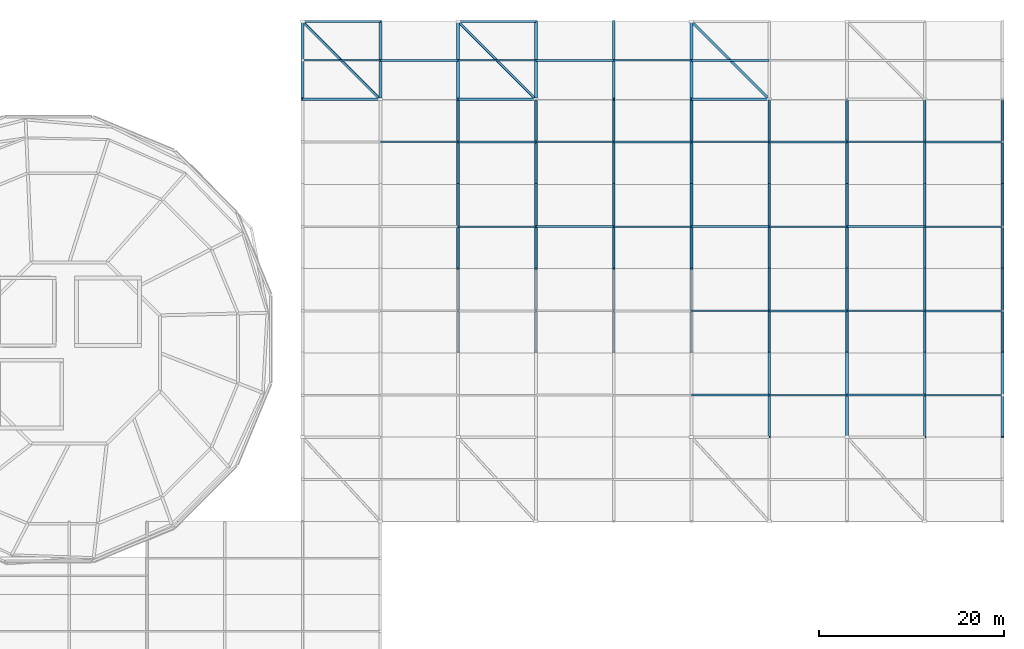
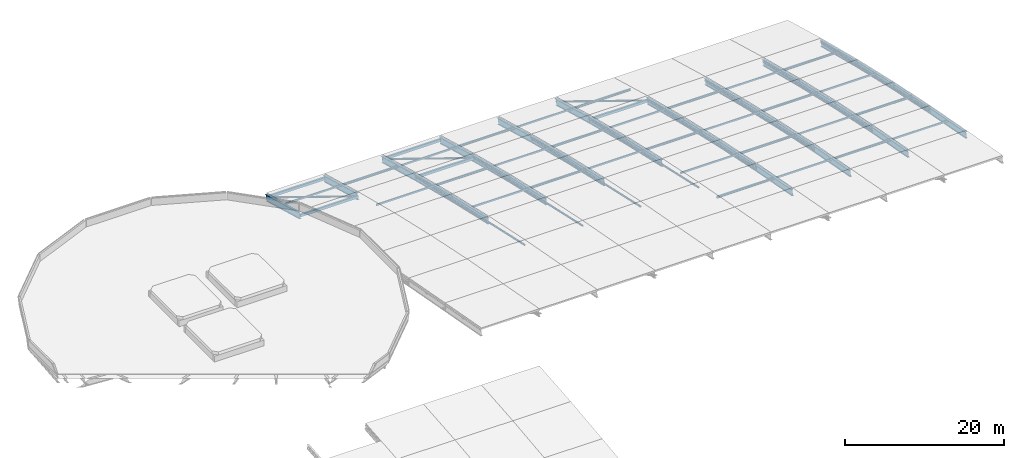
# One storey, part 4 of 12: 45 members, 30 beams.
"""IFC4 building model written with IfcOpenShell, lengths in metres."""

from ifc_helpers import new_model, si_unit, derived_unit, direction, frame, origin, origin_2d, place, context, subcontext, project, spatial, hollow_rectangle, hollow_circle, i_section, extrude, material, material_profile, profile_set, type_object, element, save


model = new_model("IFC4")

# Units and contexts
model_context = context("Model", 3, precision=1e-05, world=origin(), true_north=direction((0.0, 1.0)))
body_context = subcontext(model_context, "Body", "Model", "MODEL_VIEW")
ifc_project = project(units=[si_unit("LENGTHUNIT", "METRE"), si_unit("AREAUNIT", "SQUARE_METRE"), si_unit("VOLUMEUNIT", "CUBIC_METRE"), si_unit("PLANEANGLEUNIT", "RADIAN"), si_unit("MASSUNIT", "GRAM", prefix="KILO"), derived_unit("THERMALTRANSMITTANCEUNIT", [(si_unit("MASSUNIT", "GRAM", prefix="KILO"), 1), (si_unit("TIMEUNIT", "SECOND"), -3), (si_unit("THERMODYNAMICTEMPERATUREUNIT", "KELVIN"), -1)])], contexts=[model_context])

# Site, building, storey
site_placement = place(None, origin())
site = spatial("IfcSite", under=ifc_project, at=site_placement, CompositionType="ELEMENT")
building_placement = place(site_placement, origin())
building = spatial("IfcBuilding", under=site, at=building_placement, Name="Makaiwela Harbour Ferry Terminal", CompositionType="ELEMENT")
storey_placement = place(building_placement, frame((0.0, 0.0, 25.5)))
storey = spatial("IfcBuildingStorey", under=building, at=storey_placement, Name="ROOF", CompositionType="ELEMENT", Elevation=25.5)

# Beams
ifc_material_1 = material(Name="Steel ASTM A992 Grade 50", Category="steel")
ifc_material_profile_1 = material_profile(ifc_material_1, i_section(OverallWidth=0.306884765625, OverallDepth=0.927001953125, WebThickness=0.019287109375, FlangeThickness=0.031982421875, at=origin_2d()), Name="W36X194")
ifc_profile_set_1 = profile_set([ifc_material_profile_1], Name="Steel ASTM A992 Grade 50")
beam_type = type_object("IfcBeamType", Name="STR-ARC-W36X194", PredefinedType="USERDEFINED", material=ifc_profile_set_1)
for number, where, z_axis, x_axis, name in (
    (1, (63.0, 103.39990234375, -12.99609375), (0.0, -0.963908615898, 0.266233319098), (1.0, 0.0, 0.0), "Departure vault arch rib 9-1"),
    (2, (71.39990234375, 103.39990234375, -12.99609375), (0.0, -0.963908615898, 0.266233319098), (1.0, 0.0, 0.0), "Departure vault arch rib 10-1"),
    (3, (79.800048828125, 103.39990234375, -12.99609375), (0.0, -0.963908615898, 0.266233319098), (1.0, 0.0, 0.0), "Departure vault arch rib 11-1"),
):
    element("IfcBeam", number, at=place(storey_placement, frame(where, z_axis=z_axis, x_axis=x_axis)), inside=storey, type_object=beam_type, Name=name, ObjectType="ARCH SEGMENT", PredefinedType="USERDEFINED", context=body_context, shape_type="SweptSolid", body=[
        extrude(i_section(OverallWidth=0.306884765625, OverallDepth=0.927001953125, WebThickness=0.019287109375, FlangeThickness=0.031982421875, at=origin_2d()), origin(), (0.0, 0.0, 1.0), 8.71435546875),
    ])
beam_1_placement = place(storey_placement, frame((79.800048828125, 95.0, -10.6748046875), z_axis=(0.0, -0.969642473785, 0.244527039471), x_axis=(1.0, 0.0, 0.0)))
element("IfcBeam", 4, at=beam_1_placement, inside=storey, type_object=beam_type, Name="Departure vault arch rib 11-2", ObjectType="ARCH SEGMENT", PredefinedType="USERDEFINED", context=body_context, shape_type="SweptSolid", body=[
    extrude(i_section(OverallWidth=0.306884765625, OverallDepth=0.927001953125, WebThickness=0.019287109375, FlangeThickness=0.031982421875, at=origin_2d()), origin(), (0.0, 0.0, 1.0), 9.488037109375),
])
beam_2_placement = place(storey_placement, frame((79.800048828125, 85.800048828125, -8.353759765625), z_axis=(0.0, -0.974857207995, 0.222830482699), x_axis=(1.0, 0.0, 0.0)))
element("IfcBeam", 5, at=beam_2_placement, inside=storey, type_object=beam_type, Name="Departure vault arch rib 11-3", ObjectType="ARCH SEGMENT", PredefinedType="USERDEFINED", context=body_context, shape_type="SweptSolid", body=[
    extrude(i_section(OverallWidth=0.306884765625, OverallDepth=0.927001953125, WebThickness=0.019287109375, FlangeThickness=0.031982421875, at=origin_2d()), origin(), (0.0, 0.0, 1.0), 9.334716796875),
])
beam_3_placement = place(storey_placement, frame((88.199951171875, 103.39990234375, -12.99609375), z_axis=(0.0, -0.963908615898, 0.266233319098), x_axis=(1.0, 0.0, 0.0)))
element("IfcBeam", 6, at=beam_3_placement, inside=storey, type_object=beam_type, Name="Departure vault arch rib 12-1", ObjectType="ARCH SEGMENT", PredefinedType="USERDEFINED", context=body_context, shape_type="SweptSolid", body=[
    extrude(i_section(OverallWidth=0.306884765625, OverallDepth=0.927001953125, WebThickness=0.019287109375, FlangeThickness=0.031982421875, at=origin_2d()), origin(), (0.0, 0.0, 1.0), 8.71435546875),
])
beam_4_placement = place(storey_placement, frame((88.199951171875, 95.0, -10.6748046875), z_axis=(0.0, -0.969642473785, 0.244527039471), x_axis=(1.0, 0.0, 0.0)))
element("IfcBeam", 7, at=beam_4_placement, inside=storey, type_object=beam_type, Name="Departure vault arch rib 12-2", ObjectType="ARCH SEGMENT", PredefinedType="USERDEFINED", context=body_context, shape_type="SweptSolid", body=[
    extrude(i_section(OverallWidth=0.306884765625, OverallDepth=0.927001953125, WebThickness=0.019287109375, FlangeThickness=0.031982421875, at=origin_2d()), origin(), (0.0, 0.0, 1.0), 9.488037109375),
])
beam_5_placement = place(storey_placement, frame((88.199951171875, 85.800048828125, -8.353759765625), z_axis=(0.0, -0.974857207995, 0.222830482699), x_axis=(1.0, 0.0, 0.0)))
element("IfcBeam", 8, at=beam_5_placement, inside=storey, type_object=beam_type, Name="Departure vault arch rib 12-3", ObjectType="ARCH SEGMENT", PredefinedType="USERDEFINED", context=body_context, shape_type="SweptSolid", body=[
    extrude(i_section(OverallWidth=0.306884765625, OverallDepth=0.927001953125, WebThickness=0.019287109375, FlangeThickness=0.031982421875, at=origin_2d()), origin(), (0.0, 0.0, 1.0), 9.334716796875),
])
beam_6_placement = place(storey_placement, frame((96.60009765625, 103.39990234375, -12.99609375), z_axis=(0.0, -0.963908615898, 0.266233319098), x_axis=(1.0, 0.0, 0.0)))
element("IfcBeam", 9, at=beam_6_placement, inside=storey, type_object=beam_type, Name="Departure vault arch rib 13-1", ObjectType="ARCH SEGMENT", PredefinedType="USERDEFINED", context=body_context, shape_type="SweptSolid", body=[
    extrude(i_section(OverallWidth=0.306884765625, OverallDepth=0.927001953125, WebThickness=0.019287109375, FlangeThickness=0.031982421875, at=origin_2d()), origin(), (0.0, 0.0, 1.0), 8.71435546875),
])
beam_7_placement = place(storey_placement, frame((96.60009765625, 95.0, -10.6748046875), z_axis=(0.0, -0.969642473785, 0.244527039471), x_axis=(1.0, 0.0, 0.0)))
element("IfcBeam", 10, at=beam_7_placement, inside=storey, type_object=beam_type, Name="Departure vault arch rib 13-2", ObjectType="ARCH SEGMENT", PredefinedType="USERDEFINED", context=body_context, shape_type="SweptSolid", body=[
    extrude(i_section(OverallWidth=0.306884765625, OverallDepth=0.927001953125, WebThickness=0.019287109375, FlangeThickness=0.031982421875, at=origin_2d()), origin(), (0.0, 0.0, 1.0), 9.488037109375),
])
beam_8_placement = place(storey_placement, frame((96.60009765625, 85.800048828125, -8.353759765625), z_axis=(0.0, -0.974857207995, 0.222830482699), x_axis=(1.0, 0.0, 0.0)))
element("IfcBeam", 11, at=beam_8_placement, inside=storey, type_object=beam_type, Name="Departure vault arch rib 13-3", ObjectType="ARCH SEGMENT", PredefinedType="USERDEFINED", context=body_context, shape_type="SweptSolid", body=[
    extrude(i_section(OverallWidth=0.306884765625, OverallDepth=0.927001953125, WebThickness=0.019287109375, FlangeThickness=0.031982421875, at=origin_2d()), origin(), (0.0, 0.0, 1.0), 9.334716796875),
])
beam_9_placement = place(storey_placement, frame((105.0, 103.39990234375, -12.99609375), z_axis=(0.0, -0.963908615898, 0.266233319098), x_axis=(1.0, 0.0, 0.0)))
element("IfcBeam", 12, at=beam_9_placement, inside=storey, type_object=beam_type, Name="Departure vault arch rib 14-1", ObjectType="ARCH SEGMENT", PredefinedType="USERDEFINED", context=body_context, shape_type="SweptSolid", body=[
    extrude(i_section(OverallWidth=0.306884765625, OverallDepth=0.927001953125, WebThickness=0.019287109375, FlangeThickness=0.031982421875, at=origin_2d()), origin(), (0.0, 0.0, 1.0), 8.71435546875),
])
beam_10_placement = place(storey_placement, frame((105.0, 95.0, -10.6748046875), z_axis=(0.0, -0.969642473785, 0.244527039471), x_axis=(1.0, 0.0, 0.0)))
element("IfcBeam", 13, at=beam_10_placement, inside=storey, type_object=beam_type, Name="Departure vault arch rib 14-2", ObjectType="ARCH SEGMENT", PredefinedType="USERDEFINED", context=body_context, shape_type="SweptSolid", body=[
    extrude(i_section(OverallWidth=0.306884765625, OverallDepth=0.927001953125, WebThickness=0.019287109375, FlangeThickness=0.031982421875, at=origin_2d()), origin(), (0.0, 0.0, 1.0), 9.488037109375),
])
beam_11_placement = place(storey_placement, frame((105.0, 85.800048828125, -8.353759765625), z_axis=(0.0, -0.974857207995, 0.222830482699), x_axis=(1.0, 0.0, 0.0)))
element("IfcBeam", 14, at=beam_11_placement, inside=storey, type_object=beam_type, Name="Departure vault arch rib 14-3", ObjectType="ARCH SEGMENT", PredefinedType="USERDEFINED", context=body_context, shape_type="SweptSolid", body=[
    extrude(i_section(OverallWidth=0.306884765625, OverallDepth=0.927001953125, WebThickness=0.019287109375, FlangeThickness=0.031982421875, at=origin_2d()), origin(), (0.0, 0.0, 1.0), 9.334716796875),
])
beam_12_placement = place(storey_placement, frame((113.39990234375, 95.0, -10.6748046875), z_axis=(0.0, -0.969642473785, 0.244527039471), x_axis=(1.0, 0.0, 0.0)))
element("IfcBeam", 15, at=beam_12_placement, inside=storey, type_object=beam_type, Name="Departure vault arch rib 15-2", ObjectType="ARCH SEGMENT", PredefinedType="USERDEFINED", context=body_context, shape_type="SweptSolid", body=[
    extrude(i_section(OverallWidth=0.306884765625, OverallDepth=0.927001953125, WebThickness=0.019287109375, FlangeThickness=0.031982421875, at=origin_2d()), origin(), (0.0, 0.0, 1.0), 9.488037109375),
])
beam_13_placement = place(storey_placement, frame((113.39990234375, 85.800048828125, -8.353759765625), z_axis=(0.0, -0.974857207995, 0.222830482699), x_axis=(1.0, 0.0, 0.0)))
element("IfcBeam", 16, at=beam_13_placement, inside=storey, type_object=beam_type, Name="Departure vault arch rib 15-3", ObjectType="ARCH SEGMENT", PredefinedType="USERDEFINED", context=body_context, shape_type="SweptSolid", body=[
    extrude(i_section(OverallWidth=0.306884765625, OverallDepth=0.927001953125, WebThickness=0.019287109375, FlangeThickness=0.031982421875, at=origin_2d()), origin(), (0.0, 0.0, 1.0), 9.334716796875),
])
beam_14_placement = place(storey_placement, frame((113.39990234375, 76.699951171875, -6.272705078125), z_axis=(0.0, -0.978892276116, 0.20437688656), x_axis=(1.0, 0.0, 0.0)))
element("IfcBeam", 17, at=beam_14_placement, inside=storey, type_object=beam_type, Name="Departure vault arch rib 15-4", ObjectType="ARCH SEGMENT", PredefinedType="USERDEFINED", context=body_context, shape_type="SweptSolid", body=[
    extrude(i_section(OverallWidth=0.306884765625, OverallDepth=0.927001953125, WebThickness=0.019287109375, FlangeThickness=0.031982421875, at=origin_2d()), origin(), (0.0, 0.0, 1.0), 9.296142578125),
])
beam_15_placement = place(storey_placement, frame((113.39990234375, 67.60009765625, -4.3720703125), z_axis=(0.0, -0.982995566672, 0.183629289337), x_axis=(1.0, 0.0, 0.0)))
element("IfcBeam", 18, at=beam_15_placement, inside=storey, type_object=beam_type, Name="Departure vault arch rib 15-5", ObjectType="ARCH SEGMENT", PredefinedType="USERDEFINED", context=body_context, shape_type="SweptSolid", body=[
    extrude(i_section(OverallWidth=0.306884765625, OverallDepth=0.927001953125, WebThickness=0.019287109375, FlangeThickness=0.031982421875, at=origin_2d()), origin(), (0.0, 0.0, 1.0), 9.257568359375),
])
beam_16_placement = place(storey_placement, frame((121.800048828125, 95.0, -10.6748046875), z_axis=(0.0, -0.969642473785, 0.244527039471), x_axis=(1.0, 0.0, 0.0)))
element("IfcBeam", 19, at=beam_16_placement, inside=storey, type_object=beam_type, Name="Departure vault arch rib 16-2", ObjectType="ARCH SEGMENT", PredefinedType="USERDEFINED", context=body_context, shape_type="SweptSolid", body=[
    extrude(i_section(OverallWidth=0.306884765625, OverallDepth=0.927001953125, WebThickness=0.019287109375, FlangeThickness=0.031982421875, at=origin_2d()), origin(), (0.0, 0.0, 1.0), 9.488037109375),
])
beam_17_placement = place(storey_placement, frame((121.800048828125, 85.800048828125, -8.353759765625), z_axis=(0.0, -0.974857207995, 0.222830482699), x_axis=(1.0, 0.0, 0.0)))
element("IfcBeam", 20, at=beam_17_placement, inside=storey, type_object=beam_type, Name="Departure vault arch rib 16-3", ObjectType="ARCH SEGMENT", PredefinedType="USERDEFINED", context=body_context, shape_type="SweptSolid", body=[
    extrude(i_section(OverallWidth=0.306884765625, OverallDepth=0.927001953125, WebThickness=0.019287109375, FlangeThickness=0.031982421875, at=origin_2d()), origin(), (0.0, 0.0, 1.0), 9.334716796875),
])
beam_18_placement = place(storey_placement, frame((121.800048828125, 76.699951171875, -6.272705078125), z_axis=(0.0, -0.978892276116, 0.20437688656), x_axis=(1.0, 0.0, 0.0)))
element("IfcBeam", 21, at=beam_18_placement, inside=storey, type_object=beam_type, Name="Departure vault arch rib 16-4", ObjectType="ARCH SEGMENT", PredefinedType="USERDEFINED", context=body_context, shape_type="SweptSolid", body=[
    extrude(i_section(OverallWidth=0.306884765625, OverallDepth=0.927001953125, WebThickness=0.019287109375, FlangeThickness=0.031982421875, at=origin_2d()), origin(), (0.0, 0.0, 1.0), 9.296142578125),
])
beam_19_placement = place(storey_placement, frame((121.800048828125, 67.60009765625, -4.3720703125), z_axis=(0.0, -0.982995566672, 0.183629289337), x_axis=(1.0, 0.0, 0.0)))
element("IfcBeam", 22, at=beam_19_placement, inside=storey, type_object=beam_type, Name="Departure vault arch rib 16-5", ObjectType="ARCH SEGMENT", PredefinedType="USERDEFINED", context=body_context, shape_type="SweptSolid", body=[
    extrude(i_section(OverallWidth=0.306884765625, OverallDepth=0.927001953125, WebThickness=0.019287109375, FlangeThickness=0.031982421875, at=origin_2d()), origin(), (0.0, 0.0, 1.0), 9.257568359375),
])
beam_20_placement = place(storey_placement, frame((130.199951171875, 95.0, -10.6748046875), z_axis=(0.0, -0.969642473785, 0.244527039471), x_axis=(1.0, 0.0, 0.0)))
element("IfcBeam", 23, at=beam_20_placement, inside=storey, type_object=beam_type, Name="Departure vault arch rib 17-2", ObjectType="ARCH SEGMENT", PredefinedType="USERDEFINED", context=body_context, shape_type="SweptSolid", body=[
    extrude(i_section(OverallWidth=0.306884765625, OverallDepth=0.927001953125, WebThickness=0.019287109375, FlangeThickness=0.031982421875, at=origin_2d()), origin(), (0.0, 0.0, 1.0), 9.488037109375),
])
beam_21_placement = place(storey_placement, frame((130.199951171875, 85.800048828125, -8.353759765625), z_axis=(0.0, -0.974857207995, 0.222830482699), x_axis=(1.0, 0.0, 0.0)))
element("IfcBeam", 24, at=beam_21_placement, inside=storey, type_object=beam_type, Name="Departure vault arch rib 17-3", ObjectType="ARCH SEGMENT", PredefinedType="USERDEFINED", context=body_context, shape_type="SweptSolid", body=[
    extrude(i_section(OverallWidth=0.306884765625, OverallDepth=0.927001953125, WebThickness=0.019287109375, FlangeThickness=0.031982421875, at=origin_2d()), origin(), (0.0, 0.0, 1.0), 9.334716796875),
])
beam_22_placement = place(storey_placement, frame((130.199951171875, 76.699951171875, -6.272705078125), z_axis=(0.0, -0.978892276116, 0.20437688656), x_axis=(1.0, 0.0, 0.0)))
element("IfcBeam", 25, at=beam_22_placement, inside=storey, type_object=beam_type, Name="Departure vault arch rib 17-4", ObjectType="ARCH SEGMENT", PredefinedType="USERDEFINED", context=body_context, shape_type="SweptSolid", body=[
    extrude(i_section(OverallWidth=0.306884765625, OverallDepth=0.927001953125, WebThickness=0.019287109375, FlangeThickness=0.031982421875, at=origin_2d()), origin(), (0.0, 0.0, 1.0), 9.296142578125),
])
beam_23_placement = place(storey_placement, frame((130.199951171875, 67.60009765625, -4.3720703125), z_axis=(0.0, -0.982995566672, 0.183629289337), x_axis=(1.0, 0.0, 0.0)))
element("IfcBeam", 26, at=beam_23_placement, inside=storey, type_object=beam_type, Name="Departure vault arch rib 17-5", ObjectType="ARCH SEGMENT", PredefinedType="USERDEFINED", context=body_context, shape_type="SweptSolid", body=[
    extrude(i_section(OverallWidth=0.306884765625, OverallDepth=0.927001953125, WebThickness=0.019287109375, FlangeThickness=0.031982421875, at=origin_2d()), origin(), (0.0, 0.0, 1.0), 9.257568359375),
])
beam_24_placement = place(storey_placement, frame((138.60009765625, 95.0, -10.6748046875), z_axis=(0.0, -0.969642473785, 0.244527039471), x_axis=(1.0, 0.0, 0.0)))
element("IfcBeam", 27, at=beam_24_placement, inside=storey, type_object=beam_type, Name="Departure vault arch rib 18-2", ObjectType="ARCH SEGMENT", PredefinedType="USERDEFINED", context=body_context, shape_type="SweptSolid", body=[
    extrude(i_section(OverallWidth=0.306884765625, OverallDepth=0.927001953125, WebThickness=0.019287109375, FlangeThickness=0.031982421875, at=origin_2d()), origin(), (0.0, 0.0, 1.0), 9.488037109375),
])
beam_25_placement = place(storey_placement, frame((138.60009765625, 85.800048828125, -8.353759765625), z_axis=(0.0, -0.974857207995, 0.222830482699), x_axis=(1.0, 0.0, 0.0)))
element("IfcBeam", 28, at=beam_25_placement, inside=storey, type_object=beam_type, Name="Departure vault arch rib 18-3", ObjectType="ARCH SEGMENT", PredefinedType="USERDEFINED", context=body_context, shape_type="SweptSolid", body=[
    extrude(i_section(OverallWidth=0.306884765625, OverallDepth=0.927001953125, WebThickness=0.019287109375, FlangeThickness=0.031982421875, at=origin_2d()), origin(), (0.0, 0.0, 1.0), 9.334716796875),
])
beam_26_placement = place(storey_placement, frame((138.60009765625, 76.699951171875, -6.272705078125), z_axis=(0.0, -0.978892276116, 0.20437688656), x_axis=(1.0, 0.0, 0.0)))
element("IfcBeam", 29, at=beam_26_placement, inside=storey, type_object=beam_type, Name="Departure vault arch rib 18-4", ObjectType="ARCH SEGMENT", PredefinedType="USERDEFINED", context=body_context, shape_type="SweptSolid", body=[
    extrude(i_section(OverallWidth=0.306884765625, OverallDepth=0.927001953125, WebThickness=0.019287109375, FlangeThickness=0.031982421875, at=origin_2d()), origin(), (0.0, 0.0, 1.0), 9.296142578125),
])
beam_27_placement = place(storey_placement, frame((138.60009765625, 67.60009765625, -4.3720703125), z_axis=(0.0, -0.982995566672, 0.183629289337), x_axis=(1.0, 0.0, 0.0)))
element("IfcBeam", 30, at=beam_27_placement, inside=storey, type_object=beam_type, Name="Departure vault arch rib 18-5", ObjectType="ARCH SEGMENT", PredefinedType="USERDEFINED", context=body_context, shape_type="SweptSolid", body=[
    extrude(i_section(OverallWidth=0.306884765625, OverallDepth=0.927001953125, WebThickness=0.019287109375, FlangeThickness=0.031982421875, at=origin_2d()), origin(), (0.0, 0.0, 1.0), 9.257568359375),
])

# Members
ifc_material_2 = material(Name="Steel ASTM A500 Grade C", Category="steel")
ifc_material_profile_2 = material_profile(ifc_material_2, hollow_circle(Radius=0.136474609375, WallThickness=0.0126953125, at=origin_2d()), Name="PIPE10XS")
ifc_profile_set_2 = profile_set([ifc_material_profile_2], Name="Steel ASTM A500 Grade C")
member_type_1 = type_object("IfcMemberType", Name="STR-BRC-PIPE10", PredefinedType="BRACE", material=ifc_profile_set_2)
for number, where, z_axis, x_axis, name in (
    (31, (63.0, 103.39990234375, -12.99609375), (0.693994870897, -0.693994870897, 0.191682650065), (0.707106781187, 0.707106781187, 0.0), "Structural Member BR-04"),
    (32, (79.800048828125, 103.39990234375, -12.99609375), (0.693994870897, -0.693994870897, 0.191682650065), (0.707106781187, 0.707106781187, 0.0), "Structural Member BR-04"),
    (33, (105.0, 103.39990234375, -12.99609375), (0.693994870897, -0.693994870897, 0.191682650065), (0.707106781187, 0.707106781187, 0.0), "Structural Member BR-04"),
):
    element("IfcMember", number, at=place(storey_placement, frame(where, z_axis=z_axis, x_axis=x_axis)), inside=storey, type_object=member_type_1, Name=name, PredefinedType="BRACE", context=body_context, shape_type="SweptSolid", body=[
        extrude(hollow_circle(Radius=0.136474609375, WallThickness=0.0126953125, at=origin_2d()), origin(), (0.0, 0.0, 1.0), 12.103759765625),
    ])
ifc_material_profile_3 = material_profile(ifc_material_2, hollow_rectangle(XDim=0.25390625, YDim=0.406005859375, WallThickness=0.01171875, at=origin_2d()), Name="HSS16X10X1/2")
ifc_profile_set_3 = profile_set([ifc_material_profile_3], Name="Steel ASTM A500 Grade C")
member_type_2 = type_object("IfcMemberType", Name="STR-CHD-HSS16", PredefinedType="CHORD", material=ifc_profile_set_3)
for number, where, z_axis, x_axis, name in (
    (34, (63.0, 103.39990234375, -12.99609375), (1.0, 0.0, 0.0), (0.0, 1.0, 0.0), "Structural Member CH-01"),
    (35, (63.0, 95.0, -10.676025390625), (1.0, 0.0, 0.0), (0.0, 1.0, 0.0), "Structural Member CH-01"),
    (36, (79.800048828125, 103.39990234375, -12.99609375), (1.0, 0.0, 0.0), (0.0, 1.0, 0.0), "Structural Member CH-01"),
    (37, (79.800048828125, 95.0, -10.676025390625), (1.0, 0.0, 0.0), (0.0, 1.0, 0.0), "Structural Member CH-01"),
    (38, (105.0, 95.0, -10.676025390625), (1.0, 0.0, 0.0), (0.0, 1.0, 0.0), "Structural Member CH-01"),
):
    element("IfcMember", number, at=place(storey_placement, frame(where, z_axis=z_axis, x_axis=x_axis)), inside=storey, type_object=member_type_2, Name=name, PredefinedType="CHORD", context=body_context, shape_type="SweptSolid", body=[
        extrude(hollow_rectangle(XDim=0.25390625, YDim=0.406005859375, WallThickness=0.01171875, at=origin_2d()), origin(), (0.0, 0.0, 1.0), 8.39990234375),
    ])
ifc_material_profile_4 = material_profile(ifc_material_2, hollow_circle(Radius=0.136474609375, WallThickness=0.0126953125, at=origin_2d()), Name="PIPE10XS")
ifc_profile_set_4 = profile_set([ifc_material_profile_4], Name="Steel ASTM A500 Grade C")
member_type_3 = type_object("IfcMemberType", Name="STR-CLR-PIPE10", PredefinedType="COLLAR", material=ifc_profile_set_4)
for number, where, z_axis, x_axis, name in (
    (39, (79.800048828125, 95.0, -10.550048828125), (0.0, -0.976102263429, 0.217311691651), (1.0, 0.0, 0.0), "Vault tension collar tie 11"),
    (40, (88.199951171875, 95.0, -10.550048828125), (0.0, -0.976102263429, 0.217311691651), (1.0, 0.0, 0.0), "Vault tension collar tie 12"),
    (41, (96.60009765625, 95.0, -10.550048828125), (0.0, -0.976102263429, 0.217311691651), (1.0, 0.0, 0.0), "Vault tension collar tie 13"),
    (42, (105.0, 95.0, -10.550048828125), (0.0, -0.976102263429, 0.217311691651), (1.0, 0.0, 0.0), "Vault tension collar tie 14"),
    (43, (113.39990234375, 95.0, -10.550048828125), (0.0, -0.976102263429, 0.217311691651), (1.0, 0.0, 0.0), "Vault tension collar tie 15"),
    (44, (121.800048828125, 95.0, -10.550048828125), (0.0, -0.976102263429, 0.217311691651), (1.0, 0.0, 0.0), "Vault tension collar tie 16"),
    (45, (130.199951171875, 95.0, -10.550048828125), (0.0, -0.976102263429, 0.217311691651), (1.0, 0.0, 0.0), "Vault tension collar tie 17"),
    (46, (138.60009765625, 95.0, -10.550048828125), (0.0, -0.976102263429, 0.217311691651), (1.0, 0.0, 0.0), "Vault tension collar tie 18"),
):
    element("IfcMember", number, at=place(storey_placement, frame(where, z_axis=z_axis, x_axis=x_axis)), inside=storey, type_object=member_type_3, Name=name, PredefinedType="COLLAR", context=body_context, shape_type="SweptSolid", body=[
        extrude(hollow_circle(Radius=0.136474609375, WallThickness=0.0126953125, at=origin_2d()), origin(), (0.0, 0.0, 1.0), 28.07080078125),
    ])
ifc_material_profile_5 = material_profile(ifc_material_2, hollow_rectangle(XDim=0.152099609375, YDim=0.25390625, WallThickness=0.0087890625, at=origin_2d()), Name="HSS10X6X3/8")
ifc_profile_set_5 = profile_set([ifc_material_profile_5], Name="Steel ASTM A500 Grade C")
member_type_4 = type_object("IfcMemberType", Name="STR-PRL-HSS10X6", PredefinedType="PURLIN", material=ifc_profile_set_5)
member_1_placement = place(storey_placement, frame((63.0, 99.199951171875, -11.51953125), z_axis=(1.0, 0.0, 0.0), x_axis=(0.0, 1.0, 0.0)))
element("IfcMember", 47, at=member_1_placement, inside=storey, type_object=member_type_4, Name="Structural Member PR-01", PredefinedType="PURLIN", context=body_context, shape_type="SweptSolid", body=[
    extrude(hollow_rectangle(XDim=0.152099609375, YDim=0.25390625, WallThickness=0.0087890625, at=origin_2d()), origin(), (0.0, 0.0, 1.0), 8.39990234375),
])
member_2_placement = place(storey_placement, frame((71.39990234375, 90.39990234375, -9.1982421875), z_axis=(1.0, 0.0, 0.0), x_axis=(0.0, 1.0, 0.0)))
element("IfcMember", 48, at=member_2_placement, inside=storey, type_object=member_type_4, Name="Structural Member PR-01", PredefinedType="PURLIN", context=body_context, shape_type="SweptSolid", body=[
    extrude(hollow_rectangle(XDim=0.152099609375, YDim=0.25390625, WallThickness=0.0087890625, at=origin_2d()), origin(), (0.0, 0.0, 1.0), 8.400146484375),
])
for number, where, z_axis, x_axis, name in (
    (49, (79.800048828125, 99.199951171875, -11.51953125), (1.0, 0.0, 0.0), (0.0, 1.0, 0.0), "Structural Member PR-01"),
    (50, (79.800048828125, 81.25, -6.997314453125), (1.0, 0.0, 0.0), (0.0, 1.0, 0.0), "Structural Member PR-01"),
):
    element("IfcMember", number, at=place(storey_placement, frame(where, z_axis=z_axis, x_axis=x_axis)), inside=storey, type_object=member_type_4, Name=name, PredefinedType="PURLIN", context=body_context, shape_type="SweptSolid", body=[
        extrude(hollow_rectangle(XDim=0.152099609375, YDim=0.25390625, WallThickness=0.0087890625, at=origin_2d()), origin(), (0.0, 0.0, 1.0), 8.39990234375),
    ])
member_3_placement = place(storey_placement, frame((88.199951171875, 90.39990234375, -9.1982421875), z_axis=(1.0, 0.0, 0.0), x_axis=(0.0, 1.0, 0.0)))
element("IfcMember", 51, at=member_3_placement, inside=storey, type_object=member_type_4, Name="Structural Member PR-01", PredefinedType="PURLIN", context=body_context, shape_type="SweptSolid", body=[
    extrude(hollow_rectangle(XDim=0.152099609375, YDim=0.25390625, WallThickness=0.0087890625, at=origin_2d()), origin(), (0.0, 0.0, 1.0), 8.400146484375),
])
for number, where, z_axis, x_axis, name in (
    (52, (96.60009765625, 99.199951171875, -11.51953125), (1.0, 0.0, 0.0), (0.0, 1.0, 0.0), "Structural Member PR-01"),
    (53, (96.60009765625, 81.25, -6.997314453125), (1.0, 0.0, 0.0), (0.0, 1.0, 0.0), "Structural Member PR-01"),
    (54, (105.0, 90.39990234375, -9.1982421875), (1.0, 0.0, 0.0), (0.0, 1.0, 0.0), "Structural Member PR-01"),
    (55, (105.0, 72.14990234375, -5.00634765625), (1.0, 0.0, 0.0), (0.0, 1.0, 0.0), "Structural Member PR-01"),
):
    element("IfcMember", number, at=place(storey_placement, frame(where, z_axis=z_axis, x_axis=x_axis)), inside=storey, type_object=member_type_4, Name=name, PredefinedType="PURLIN", context=body_context, shape_type="SweptSolid", body=[
        extrude(hollow_rectangle(XDim=0.152099609375, YDim=0.25390625, WallThickness=0.0087890625, at=origin_2d()), origin(), (0.0, 0.0, 1.0), 8.39990234375),
    ])
for number, where, z_axis, x_axis, name in (
    (56, (113.39990234375, 81.25, -6.997314453125), (1.0, 0.0, 0.0), (0.0, 1.0, 0.0), "Structural Member PR-01"),
    (57, (113.39990234375, 63.050048828125, -3.20556640625), (1.0, 0.0, 0.0), (0.0, 1.0, 0.0), "Structural Member PR-01"),
):
    element("IfcMember", number, at=place(storey_placement, frame(where, z_axis=z_axis, x_axis=x_axis)), inside=storey, type_object=member_type_4, Name=name, PredefinedType="PURLIN", context=body_context, shape_type="SweptSolid", body=[
        extrude(hollow_rectangle(XDim=0.152099609375, YDim=0.25390625, WallThickness=0.0087890625, at=origin_2d()), origin(), (0.0, 0.0, 1.0), 8.400146484375),
    ])
for number, where, z_axis, x_axis, name in (
    (58, (121.800048828125, 90.39990234375, -9.1982421875), (1.0, 0.0, 0.0), (0.0, 1.0, 0.0), "Structural Member PR-01"),
    (59, (121.800048828125, 72.14990234375, -5.00634765625), (1.0, 0.0, 0.0), (0.0, 1.0, 0.0), "Structural Member PR-01"),
):
    element("IfcMember", number, at=place(storey_placement, frame(where, z_axis=z_axis, x_axis=x_axis)), inside=storey, type_object=member_type_4, Name=name, PredefinedType="PURLIN", context=body_context, shape_type="SweptSolid", body=[
        extrude(hollow_rectangle(XDim=0.152099609375, YDim=0.25390625, WallThickness=0.0087890625, at=origin_2d()), origin(), (0.0, 0.0, 1.0), 8.39990234375),
    ])
for number, where, z_axis, x_axis, name in (
    (60, (130.199951171875, 81.25, -6.997314453125), (1.0, 0.0, 0.0), (0.0, 1.0, 0.0), "Structural Member PR-01"),
    (61, (130.199951171875, 63.050048828125, -3.20556640625), (1.0, 0.0, 0.0), (0.0, 1.0, 0.0), "Structural Member PR-01"),
):
    element("IfcMember", number, at=place(storey_placement, frame(where, z_axis=z_axis, x_axis=x_axis)), inside=storey, type_object=member_type_4, Name=name, PredefinedType="PURLIN", context=body_context, shape_type="SweptSolid", body=[
        extrude(hollow_rectangle(XDim=0.152099609375, YDim=0.25390625, WallThickness=0.0087890625, at=origin_2d()), origin(), (0.0, 0.0, 1.0), 8.400146484375),
    ])
ifc_material_profile_6 = material_profile(ifc_material_1, i_section(OverallWidth=0.205078125, OverallDepth=0.31005859375, WebThickness=0.009521484375, FlangeThickness=0.016357421875, at=origin_2d()), Name="W12X50")
ifc_profile_set_6 = profile_set([ifc_material_profile_6], Name="Steel ASTM A992 Grade 50")
member_type_5 = type_object("IfcMemberType", Name="STR-PRL-W12X50", PredefinedType="PURLIN", material=ifc_profile_set_6)
member_4_placement = place(storey_placement, frame((71.39990234375, 99.199951171875, -11.51953125), z_axis=(1.0, 0.0, 0.0), x_axis=(0.0, 1.0, 0.0)))
element("IfcMember", 62, at=member_4_placement, inside=storey, type_object=member_type_5, Name="Structural Member PR-02", PredefinedType="PURLIN", context=body_context, shape_type="SweptSolid", body=[
    extrude(i_section(OverallWidth=0.205078125, OverallDepth=0.31005859375, WebThickness=0.009521484375, FlangeThickness=0.016357421875, at=origin_2d()), origin(), (0.0, 0.0, 1.0), 8.400146484375),
])
member_5_placement = place(storey_placement, frame((79.800048828125, 90.39990234375, -9.1982421875), z_axis=(1.0, 0.0, 0.0), x_axis=(0.0, 1.0, 0.0)))
element("IfcMember", 63, at=member_5_placement, inside=storey, type_object=member_type_5, Name="Structural Member PR-02", PredefinedType="PURLIN", context=body_context, shape_type="SweptSolid", body=[
    extrude(i_section(OverallWidth=0.205078125, OverallDepth=0.31005859375, WebThickness=0.009521484375, FlangeThickness=0.016357421875, at=origin_2d()), origin(), (0.0, 0.0, 1.0), 8.39990234375),
])
for number, where, z_axis, x_axis, name in (
    (64, (88.199951171875, 99.199951171875, -11.51953125), (1.0, 0.0, 0.0), (0.0, 1.0, 0.0), "Structural Member PR-02"),
    (65, (88.199951171875, 81.25, -6.997314453125), (1.0, 0.0, 0.0), (0.0, 1.0, 0.0), "Structural Member PR-02"),
):
    element("IfcMember", number, at=place(storey_placement, frame(where, z_axis=z_axis, x_axis=x_axis)), inside=storey, type_object=member_type_5, Name=name, PredefinedType="PURLIN", context=body_context, shape_type="SweptSolid", body=[
        extrude(i_section(OverallWidth=0.205078125, OverallDepth=0.31005859375, WebThickness=0.009521484375, FlangeThickness=0.016357421875, at=origin_2d()), origin(), (0.0, 0.0, 1.0), 8.400146484375),
    ])
for number, where, z_axis, x_axis, name in (
    (66, (96.60009765625, 90.39990234375, -9.1982421875), (1.0, 0.0, 0.0), (0.0, 1.0, 0.0), "Structural Member PR-02"),
    (67, (105.0, 99.199951171875, -11.51953125), (1.0, 0.0, 0.0), (0.0, 1.0, 0.0), "Structural Member PR-02"),
    (68, (105.0, 81.25, -6.997314453125), (1.0, 0.0, 0.0), (0.0, 1.0, 0.0), "Structural Member PR-02"),
    (69, (105.0, 63.050048828125, -3.20556640625), (1.0, 0.0, 0.0), (0.0, 1.0, 0.0), "Structural Member PR-02"),
):
    element("IfcMember", number, at=place(storey_placement, frame(where, z_axis=z_axis, x_axis=x_axis)), inside=storey, type_object=member_type_5, Name=name, PredefinedType="PURLIN", context=body_context, shape_type="SweptSolid", body=[
        extrude(i_section(OverallWidth=0.205078125, OverallDepth=0.31005859375, WebThickness=0.009521484375, FlangeThickness=0.016357421875, at=origin_2d()), origin(), (0.0, 0.0, 1.0), 8.39990234375),
    ])
for number, where, z_axis, x_axis, name in (
    (70, (113.39990234375, 90.39990234375, -9.1982421875), (1.0, 0.0, 0.0), (0.0, 1.0, 0.0), "Structural Member PR-02"),
    (71, (113.39990234375, 72.14990234375, -5.00634765625), (1.0, 0.0, 0.0), (0.0, 1.0, 0.0), "Structural Member PR-02"),
):
    element("IfcMember", number, at=place(storey_placement, frame(where, z_axis=z_axis, x_axis=x_axis)), inside=storey, type_object=member_type_5, Name=name, PredefinedType="PURLIN", context=body_context, shape_type="SweptSolid", body=[
        extrude(i_section(OverallWidth=0.205078125, OverallDepth=0.31005859375, WebThickness=0.009521484375, FlangeThickness=0.016357421875, at=origin_2d()), origin(), (0.0, 0.0, 1.0), 8.400146484375),
    ])
for number, where, z_axis, x_axis, name in (
    (72, (121.800048828125, 81.25, -6.997314453125), (1.0, 0.0, 0.0), (0.0, 1.0, 0.0), "Structural Member PR-02"),
    (73, (121.800048828125, 63.050048828125, -3.20556640625), (1.0, 0.0, 0.0), (0.0, 1.0, 0.0), "Structural Member PR-02"),
):
    element("IfcMember", number, at=place(storey_placement, frame(where, z_axis=z_axis, x_axis=x_axis)), inside=storey, type_object=member_type_5, Name=name, PredefinedType="PURLIN", context=body_context, shape_type="SweptSolid", body=[
        extrude(i_section(OverallWidth=0.205078125, OverallDepth=0.31005859375, WebThickness=0.009521484375, FlangeThickness=0.016357421875, at=origin_2d()), origin(), (0.0, 0.0, 1.0), 8.39990234375),
    ])
for number, where, z_axis, x_axis, name in (
    (74, (130.199951171875, 90.39990234375, -9.1982421875), (1.0, 0.0, 0.0), (0.0, 1.0, 0.0), "Structural Member PR-02"),
    (75, (130.199951171875, 72.14990234375, -5.00634765625), (1.0, 0.0, 0.0), (0.0, 1.0, 0.0), "Structural Member PR-02"),
):
    element("IfcMember", number, at=place(storey_placement, frame(where, z_axis=z_axis, x_axis=x_axis)), inside=storey, type_object=member_type_5, Name=name, PredefinedType="PURLIN", context=body_context, shape_type="SweptSolid", body=[
        extrude(i_section(OverallWidth=0.205078125, OverallDepth=0.31005859375, WebThickness=0.009521484375, FlangeThickness=0.016357421875, at=origin_2d()), origin(), (0.0, 0.0, 1.0), 8.400146484375),
    ])

save(model, "model.ifc")
